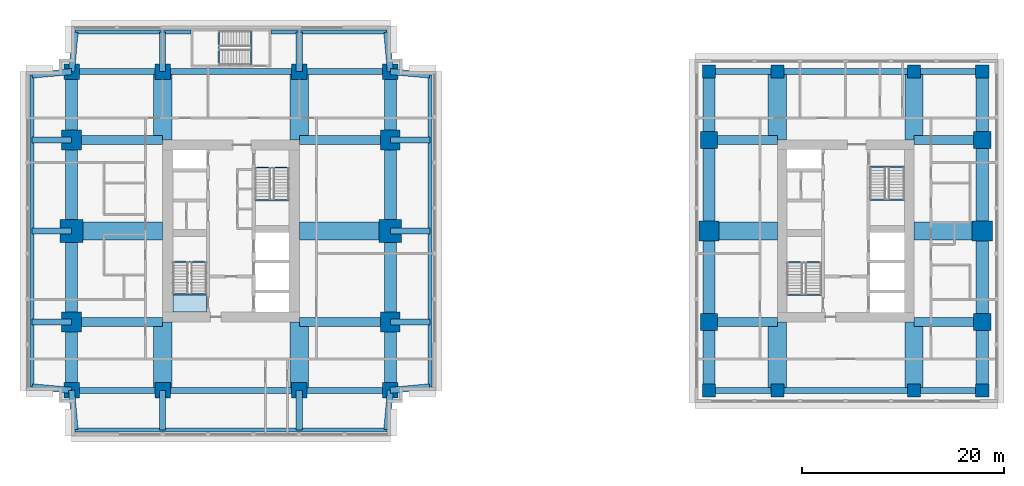
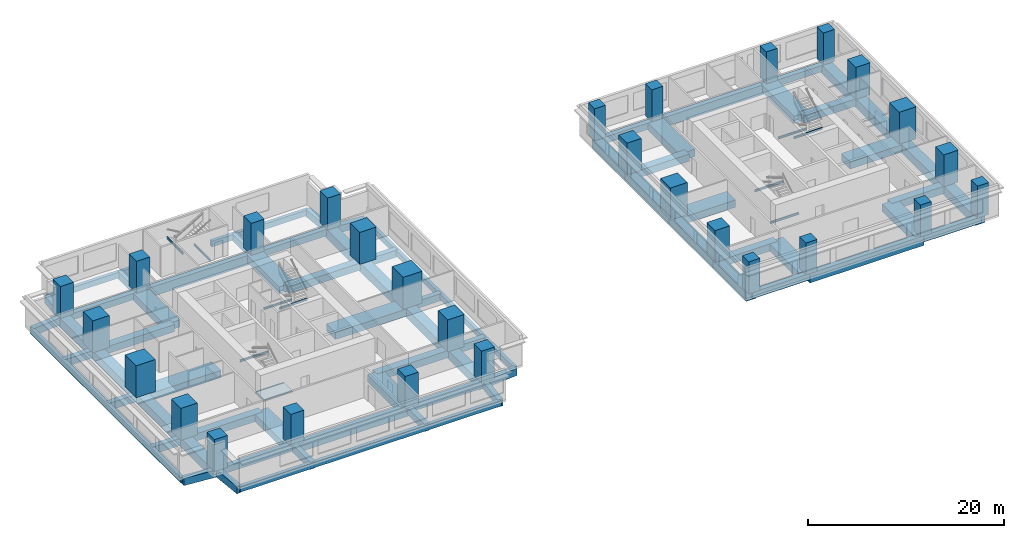
# One storey, part 1 of 11: 81 beams, 28 columns, 1 slab, 1 element without a shape of its own.
"""IFC4 building model written with IfcOpenShell, lengths in metres."""

from ifc_helpers import new_model, si_unit, direction, frame, origin, origin_2d, place, context, subcontext, project, spatial, polyline, rectangle, i_section, outline, extrude, material, layer, layer_set, material_profile, profile_set, type_object, element, aggregate, save


model = new_model("IFC4")

# Units and contexts
model_context = context("Model", 3, precision=1e-05, world=origin(), true_north=direction((0.0, 1.0)))
body_context = subcontext(model_context, "Body", "Model", "MODEL_VIEW")
ifc_project = project(units=[si_unit("LENGTHUNIT", "METRE"), si_unit("AREAUNIT", "SQUARE_METRE"), si_unit("VOLUMEUNIT", "CUBIC_METRE"), si_unit("PLANEANGLEUNIT", "RADIAN"), si_unit("MASSUNIT", "GRAM", prefix="KILO")], contexts=[model_context])

# Site, building, storey
site_placement = place(None, origin())
site = spatial("IfcSite", under=ifc_project, at=site_placement, CompositionType="ELEMENT")
building_placement = place(site_placement, origin())
building = spatial("IfcBuilding", under=site, at=building_placement, Name="Namib Vertical Campus", CompositionType="ELEMENT")
storey_placement = place(building_placement, frame((0.0, 0.0, 213.0)))
storey = spatial("IfcBuildingStorey", under=building, at=storey_placement, Name="L50", CompositionType="ELEMENT", Elevation=213.0)

# Columns
ifc_material_1 = material(Name="Concrete C60/75", Category="concrete")
ifc_material_profile_1 = material_profile(ifc_material_1, rectangle(XDim=1.300048828125, YDim=1.300048828125, at=origin_2d()))
ifc_profile_set_1 = profile_set([ifc_material_profile_1], Name="Concrete C60/75")
column_type_1 = type_object("IfcColumnType", Name="Column RC 1300x1300", PredefinedType="COLUMN", material=ifc_profile_set_1)
for number, where, z_axis, x_axis, name in (
    (1, (67.5, 4.5, 0.0), (0.0, 0.0, 1.0), (1.0, 0.0, 0.0), "Column C130 L50"),
    (2, (74.25, 4.5, 0.0), (0.0, 0.0, 1.0), (1.0, 0.0, 0.0), "Column C130 L50"),
    (3, (87.75, 4.5, 0.0), (0.0, 0.0, 1.0), (1.0, 0.0, 0.0), "Column C130 L50"),
    (4, (94.5, 4.5, 0.0), (0.0, 0.0, 1.0), (1.0, 0.0, 0.0), "Column C130 L50"),
    (5, (67.5, 36.0, 0.0), (0.0, 0.0, 1.0), (1.0, 0.0, 0.0), "Column C130 L50"),
    (6, (74.25, 36.0, 0.0), (0.0, 0.0, 1.0), (1.0, 0.0, 0.0), "Column C130 L50"),
    (7, (87.75, 36.0, 0.0), (0.0, 0.0, 1.0), (1.0, 0.0, 0.0), "Column C130 L50"),
    (8, (94.5, 36.0, 0.0), (0.0, 0.0, 1.0), (1.0, 0.0, 0.0), "Column C130 L50"),
):
    element("IfcColumn", number, at=place(storey_placement, frame(where, z_axis=z_axis, x_axis=x_axis)), inside=storey, type_object=column_type_1, Name=name, PredefinedType="COLUMN", context=body_context, shape_type="SweptSolid", body=[
        extrude(rectangle(XDim=1.300048828125, YDim=1.300048828125, at=origin_2d()), origin(), (0.0, 0.0, 1.0), 4.0),
    ])
ifc_material_2 = material(Name="Concrete C60/75", Category="concrete")
ifc_material_profile_2 = material_profile(ifc_material_2, rectangle(XDim=1.550048828125, YDim=1.550048828125, at=origin_2d()))
ifc_profile_set_2 = profile_set([ifc_material_profile_2], Name="Concrete C60/75")
column_type_2 = type_object("IfcColumnType", Name="Column RC 1550x1550", PredefinedType="COLUMN", material=ifc_profile_set_2)
for number, where, z_axis, x_axis, name in (
    (9, (4.5, 4.5, 0.0), (0.0, 0.0, 1.0), (1.0, 0.0, 0.0), "Column C155 L50"),
    (10, (13.5, 4.5, 0.0), (0.0, 0.0, 1.0), (1.0, 0.0, 0.0), "Column C155 L50"),
    (11, (27.0, 4.5, 0.0), (0.0, 0.0, 1.0), (1.0, 0.0, 0.0), "Column C155 L50"),
    (12, (36.0, 4.5, 0.0), (0.0, 0.0, 1.0), (1.0, 0.0, 0.0), "Column C155 L50"),
    (13, (4.5, 36.0, 0.0), (0.0, 0.0, 1.0), (1.0, 0.0, 0.0), "Column C155 L50"),
    (14, (13.5, 36.0, 0.0), (0.0, 0.0, 1.0), (1.0, 0.0, 0.0), "Column C155 L50"),
    (15, (27.0, 36.0, 0.0), (0.0, 0.0, 1.0), (1.0, 0.0, 0.0), "Column C155 L50"),
    (16, (36.0, 36.0, 0.0), (0.0, 0.0, 1.0), (1.0, 0.0, 0.0), "Column C155 L50"),
):
    element("IfcColumn", number, at=place(storey_placement, frame(where, z_axis=z_axis, x_axis=x_axis)), inside=storey, type_object=column_type_2, Name=name, PredefinedType="COLUMN", context=body_context, shape_type="SweptSolid", body=[
        extrude(rectangle(XDim=1.550048828125, YDim=1.550048828125, at=origin_2d()), origin(), (0.0, 0.0, 1.0), 4.0),
    ])
ifc_material_3 = material(Name="Concrete C60/75", Category="concrete")
ifc_material_profile_3 = material_profile(ifc_material_3, rectangle(XDim=1.699951171875, YDim=1.699951171875, at=origin_2d()))
ifc_profile_set_3 = profile_set([ifc_material_profile_3], Name="Concrete C60/75")
column_type_3 = type_object("IfcColumnType", Name="Column RC 1700x1700", PredefinedType="COLUMN", material=ifc_profile_set_3)
for number, where, z_axis, x_axis, name in (
    (17, (67.5, 11.25, 0.0), (0.0, 0.0, 1.0), (1.0, 0.0, 0.0), "Column C170 L50"),
    (18, (94.5, 11.25, 0.0), (0.0, 0.0, 1.0), (1.0, 0.0, 0.0), "Column C170 L50"),
    (19, (67.5, 29.25, 0.0), (0.0, 0.0, 1.0), (1.0, 0.0, 0.0), "Column C170 L50"),
    (20, (94.5, 29.25, 0.0), (0.0, 0.0, 1.0), (1.0, 0.0, 0.0), "Column C170 L50"),
):
    element("IfcColumn", number, at=place(storey_placement, frame(where, z_axis=z_axis, x_axis=x_axis)), inside=storey, type_object=column_type_3, Name=name, PredefinedType="COLUMN", context=body_context, shape_type="SweptSolid", body=[
        extrude(rectangle(XDim=1.699951171875, YDim=1.699951171875, at=origin_2d()), origin(), (0.0, 0.0, 1.0), 4.0),
    ])
ifc_material_4 = material(Name="Concrete C60/75", Category="concrete")
ifc_material_profile_4 = material_profile(ifc_material_4, rectangle(XDim=1.949951171875, YDim=1.949951171875, at=origin_2d()))
ifc_profile_set_4 = profile_set([ifc_material_profile_4], Name="Concrete C60/75")
column_type_4 = type_object("IfcColumnType", Name="Column RC 1950x1950", PredefinedType="COLUMN", material=ifc_profile_set_4)
for number, where, z_axis, x_axis, name in (
    (21, (4.5, 11.25, 0.0), (0.0, 0.0, 1.0), (1.0, 0.0, 0.0), "Column C195 L50"),
    (22, (36.0, 11.25, 0.0), (0.0, 0.0, 1.0), (1.0, 0.0, 0.0), "Column C195 L50"),
    (23, (4.5, 29.25, 0.0), (0.0, 0.0, 1.0), (1.0, 0.0, 0.0), "Column C195 L50"),
    (24, (36.0, 29.25, 0.0), (0.0, 0.0, 1.0), (1.0, 0.0, 0.0), "Column C195 L50"),
):
    element("IfcColumn", number, at=place(storey_placement, frame(where, z_axis=z_axis, x_axis=x_axis)), inside=storey, type_object=column_type_4, Name=name, PredefinedType="COLUMN", context=body_context, shape_type="SweptSolid", body=[
        extrude(rectangle(XDim=1.949951171875, YDim=1.949951171875, at=origin_2d()), origin(), (0.0, 0.0, 1.0), 4.0),
    ])
ifc_material_5 = material(Name="Concrete C60/75", Category="concrete")
ifc_material_profile_5 = material_profile(ifc_material_5, rectangle(XDim=2.0, YDim=2.0, at=origin_2d()))
ifc_profile_set_5 = profile_set([ifc_material_profile_5], Name="Concrete C60/75")
column_type_5 = type_object("IfcColumnType", Name="Column RC 2000x2000", PredefinedType="COLUMN", material=ifc_profile_set_5)
for number, where, z_axis, x_axis, name in (
    (25, (67.5, 20.25, 0.0), (0.0, 0.0, 1.0), (1.0, 0.0, 0.0), "Column C200 L50"),
    (26, (94.5, 20.25, 0.0), (0.0, 0.0, 1.0), (1.0, 0.0, 0.0), "Column C200 L50"),
):
    element("IfcColumn", number, at=place(storey_placement, frame(where, z_axis=z_axis, x_axis=x_axis)), inside=storey, type_object=column_type_5, Name=name, PredefinedType="COLUMN", context=body_context, shape_type="SweptSolid", body=[
        extrude(rectangle(XDim=2.0, YDim=2.0, at=origin_2d()), origin(), (0.0, 0.0, 1.0), 4.0),
    ])
ifc_material_6 = material(Name="Concrete C60/75", Category="concrete")
ifc_material_profile_6 = material_profile(ifc_material_6, rectangle(XDim=2.25, YDim=2.25, at=origin_2d()))
ifc_profile_set_6 = profile_set([ifc_material_profile_6], Name="Concrete C60/75")
column_type_6 = type_object("IfcColumnType", Name="Column RC 2250x2250", PredefinedType="COLUMN", material=ifc_profile_set_6)
for number, where, z_axis, x_axis, name in (
    (27, (4.5, 20.25, 0.0), (0.0, 0.0, 1.0), (1.0, 0.0, 0.0), "Column C225 L50"),
    (28, (36.0, 20.25, 0.0), (0.0, 0.0, 1.0), (1.0, 0.0, 0.0), "Column C225 L50"),
):
    element("IfcColumn", number, at=place(storey_placement, frame(where, z_axis=z_axis, x_axis=x_axis)), inside=storey, type_object=column_type_6, Name=name, PredefinedType="COLUMN", context=body_context, shape_type="SweptSolid", body=[
        extrude(rectangle(XDim=2.25, YDim=2.25, at=origin_2d()), origin(), (0.0, 0.0, 1.0), 4.0),
    ])

# Beams
ifc_material_7 = material(Name="Concrete C40/50", Category="concrete")
ifc_material_profile_7 = material_profile(ifc_material_7, rectangle(XDim=0.60009765625, YDim=0.89990234375, at=origin_2d()))
ifc_profile_set_7 = profile_set([ifc_material_profile_7], Name="Concrete C40/50")
beam_type_1 = type_object("IfcBeamType", Name="Cantilever girder RC 600x900", PredefinedType="BEAM", material=ifc_profile_set_7)
beam_1_placement = place(storey_placement, frame((4.5, 4.5, -0.699951171875), z_axis=(0.089411326146, -0.995994786511, 0.0), x_axis=(0.995994786511, 0.089411326146, 0.0)))
element("IfcBeam", 29, at=beam_1_placement, inside=storey, type_object=beam_type_1, Name="Beam B3 L50", PredefinedType="BEAM", context=body_context, shape_type="SweptSolid", body=[
    extrude(rectangle(XDim=0.60009765625, YDim=0.89990234375, at=origin_2d()), origin(), (0.0, 0.0, 1.0), 3.91552734375),
])
for number, where, z_axis, x_axis, name in (
    (30, (13.5, 4.5, -0.699951171875), (0.0, -1.0, 0.0), (1.0, 0.0, 0.0), "Beam B3 L50"),
    (31, (27.0, 4.5, -0.699951171875), (0.0, -1.0, 0.0), (1.0, 0.0, 0.0), "Beam B3 L50"),
):
    element("IfcBeam", number, at=place(storey_placement, frame(where, z_axis=z_axis, x_axis=x_axis)), inside=storey, type_object=beam_type_1, Name=name, PredefinedType="BEAM", context=body_context, shape_type="SweptSolid", body=[
        extrude(rectangle(XDim=0.60009765625, YDim=0.89990234375, at=origin_2d()), origin(), (0.0, 0.0, 1.0), 3.89990234375),
    ])
for number, where, z_axis, x_axis, name in (
    (32, (36.0, 4.5, -0.699951171875), (-0.089411326146, -0.995994786511, 0.0), (0.995994786511, -0.089411326146, 0.0), "Beam B3 L50"),
    (33, (4.5, 36.0, -0.699951171875), (0.089411326146, 0.995994786511, 0.0), (-0.995994786511, 0.089411326146, 0.0), "Beam B3 L50"),
):
    element("IfcBeam", number, at=place(storey_placement, frame(where, z_axis=z_axis, x_axis=x_axis)), inside=storey, type_object=beam_type_1, Name=name, PredefinedType="BEAM", context=body_context, shape_type="SweptSolid", body=[
        extrude(rectangle(XDim=0.60009765625, YDim=0.89990234375, at=origin_2d()), origin(), (0.0, 0.0, 1.0), 3.91552734375),
    ])
for number, where, z_axis, x_axis, name in (
    (34, (13.5, 36.0, -0.699951171875), (0.0, 1.0, 0.0), (-1.0, 0.0, 0.0), "Beam B3 L50"),
    (35, (27.0, 36.0, -0.699951171875), (0.0, 1.0, 0.0), (-1.0, 0.0, 0.0), "Beam B3 L50"),
):
    element("IfcBeam", number, at=place(storey_placement, frame(where, z_axis=z_axis, x_axis=x_axis)), inside=storey, type_object=beam_type_1, Name=name, PredefinedType="BEAM", context=body_context, shape_type="SweptSolid", body=[
        extrude(rectangle(XDim=0.60009765625, YDim=0.89990234375, at=origin_2d()), origin(), (0.0, 0.0, 1.0), 3.89990234375),
    ])
for number, where, z_axis, x_axis, name in (
    (36, (36.0, 36.0, -0.699951171875), (-0.089411326146, 0.995994786511, 0.0), (-0.995994786511, -0.089411326146, 0.0), "Beam B3 L50"),
    (37, (4.5, 4.5, -0.699951171875), (-0.995994786511, 0.089411326146, 0.0), (-0.089411326146, -0.995994786511, 0.0), "Beam B3 L50"),
):
    element("IfcBeam", number, at=place(storey_placement, frame(where, z_axis=z_axis, x_axis=x_axis)), inside=storey, type_object=beam_type_1, Name=name, PredefinedType="BEAM", context=body_context, shape_type="SweptSolid", body=[
        extrude(rectangle(XDim=0.60009765625, YDim=0.89990234375, at=origin_2d()), origin(), (0.0, 0.0, 1.0), 3.91552734375),
    ])
for number, where, z_axis, x_axis, name in (
    (38, (4.5, 11.25, -0.699951171875), (-1.0, 0.0, 0.0), (0.0, -1.0, 0.0), "Beam B3 L50"),
    (39, (4.5, 20.25, -0.699951171875), (-1.0, 0.0, 0.0), (0.0, -1.0, 0.0), "Beam B3 L50"),
    (40, (4.5, 29.25, -0.699951171875), (-1.0, 0.0, 0.0), (0.0, -1.0, 0.0), "Beam B3 L50"),
):
    element("IfcBeam", number, at=place(storey_placement, frame(where, z_axis=z_axis, x_axis=x_axis)), inside=storey, type_object=beam_type_1, Name=name, PredefinedType="BEAM", context=body_context, shape_type="SweptSolid", body=[
        extrude(rectangle(XDim=0.60009765625, YDim=0.89990234375, at=origin_2d()), origin(), (0.0, 0.0, 1.0), 3.89990234375),
    ])
for number, where, z_axis, x_axis, name in (
    (41, (4.5, 36.0, -0.699951171875), (-0.995994786511, -0.089411326146, 0.0), (0.089411326146, -0.995994786511, 0.0), "Beam B3 L50"),
    (42, (36.0, 4.5, -0.699951171875), (0.995994786511, 0.089411326146, 0.0), (-0.089411326146, 0.995994786511, 0.0), "Beam B3 L50"),
):
    element("IfcBeam", number, at=place(storey_placement, frame(where, z_axis=z_axis, x_axis=x_axis)), inside=storey, type_object=beam_type_1, Name=name, PredefinedType="BEAM", context=body_context, shape_type="SweptSolid", body=[
        extrude(rectangle(XDim=0.60009765625, YDim=0.89990234375, at=origin_2d()), origin(), (0.0, 0.0, 1.0), 3.91552734375),
    ])
for number, where, z_axis, x_axis, name in (
    (43, (36.0, 11.25, -0.699951171875), (1.0, 0.0, 0.0), (0.0, 1.0, 0.0), "Beam B3 L50"),
    (44, (36.0, 20.25, -0.699951171875), (1.0, 0.0, 0.0), (0.0, 1.0, 0.0), "Beam B3 L50"),
    (45, (36.0, 29.25, -0.699951171875), (1.0, 0.0, 0.0), (0.0, 1.0, 0.0), "Beam B3 L50"),
):
    element("IfcBeam", number, at=place(storey_placement, frame(where, z_axis=z_axis, x_axis=x_axis)), inside=storey, type_object=beam_type_1, Name=name, PredefinedType="BEAM", context=body_context, shape_type="SweptSolid", body=[
        extrude(rectangle(XDim=0.60009765625, YDim=0.89990234375, at=origin_2d()), origin(), (0.0, 0.0, 1.0), 3.89990234375),
    ])
beam_2_placement = place(storey_placement, frame((36.0, 36.0, -0.699951171875), z_axis=(0.995994786511, -0.089411326146, 0.0), x_axis=(0.089411326146, 0.995994786511, 0.0)))
element("IfcBeam", 46, at=beam_2_placement, inside=storey, type_object=beam_type_1, Name="Beam B3 L50", PredefinedType="BEAM", context=body_context, shape_type="SweptSolid", body=[
    extrude(rectangle(XDim=0.60009765625, YDim=0.89990234375, at=origin_2d()), origin(), (0.0, 0.0, 1.0), 3.91552734375),
])
ifc_material_8 = material(Name="Concrete C40/50", Category="concrete")
ifc_material_profile_8 = material_profile(ifc_material_8, rectangle(XDim=0.39990234375, YDim=0.699951171875, at=origin_2d()))
ifc_profile_set_8 = profile_set([ifc_material_profile_8], Name="Concrete C40/50")
beam_type_2 = type_object("IfcBeamType", Name="Edge beam RC 400x700", PredefinedType="SPANDREL", material=ifc_profile_set_8)
beam_3_placement = place(storey_placement, frame((4.85009765625, 0.60009765625, -0.60009765625), z_axis=(1.0, 0.0, 0.0), x_axis=(0.0, 1.0, 0.0)))
element("IfcBeam", 47, at=beam_3_placement, inside=storey, type_object=beam_type_2, Name="Beam B4 L50", PredefinedType="SPANDREL", context=body_context, shape_type="SweptSolid", body=[
    extrude(rectangle(XDim=0.39990234375, YDim=0.699951171875, at=origin_2d()), origin(), (0.0, 0.0, 1.0), 30.7998046875),
])
for number, where, z_axis, x_axis, name in (
    (48, (4.85009765625, 39.89990234375, -0.60009765625), (1.0, 0.0, 0.0), (0.0, 1.0, 0.0), "Beam B4 L50"),
    (49, (24.199951171875, 39.89990234375, -0.60009765625), (1.0, 0.0, 0.0), (0.0, 1.0, 0.0), "Beam B4 L50"),
):
    element("IfcBeam", number, at=place(storey_placement, frame(where, z_axis=z_axis, x_axis=x_axis)), inside=storey, type_object=beam_type_2, Name=name, PredefinedType="SPANDREL", context=body_context, shape_type="SweptSolid", body=[
        extrude(rectangle(XDim=0.39990234375, YDim=0.699951171875, at=origin_2d()), origin(), (0.0, 0.0, 1.0), 11.449951171875),
    ])
for number, where, z_axis, x_axis, name in (
    (50, (0.60009765625, 4.85009765625, -0.60009765625), (0.0, 1.0, 0.0), (-1.0, 0.0, 0.0), "Beam B4 L50"),
    (51, (39.89990234375, 4.85009765625, -0.60009765625), (0.0, 1.0, 0.0), (-1.0, 0.0, 0.0), "Beam B4 L50"),
):
    element("IfcBeam", number, at=place(storey_placement, frame(where, z_axis=z_axis, x_axis=x_axis)), inside=storey, type_object=beam_type_2, Name=name, PredefinedType="SPANDREL", context=body_context, shape_type="SweptSolid", body=[
        extrude(rectangle(XDim=0.39990234375, YDim=0.699951171875, at=origin_2d()), origin(), (0.0, 0.0, 1.0), 30.7998046875),
    ])
ifc_material_9 = material(Name="Concrete C40/50", Category="concrete")
ifc_material_profile_9 = material_profile(ifc_material_9, rectangle(XDim=0.89990234375, YDim=0.89990234375, at=origin_2d()))
ifc_profile_set_9 = profile_set([ifc_material_profile_9], Name="Concrete C40/50")
beam_type_3 = type_object("IfcBeamType", Name="Face girder RC 900x900", PredefinedType="BEAM", material=ifc_profile_set_9)
for number, where, z_axis, x_axis, name in (
    (52, (4.5, 11.25, -0.699951171875), (1.0, 0.0, 0.0), (0.0, 1.0, 0.0), "Beam B10 L50"),
    (53, (36.0, 11.25, -0.699951171875), (-1.0, 0.0, 0.0), (0.0, -1.0, 0.0), "Beam B10 L50"),
    (54, (4.5, 29.25, -0.699951171875), (1.0, 0.0, 0.0), (0.0, 1.0, 0.0), "Beam B10 L50"),
    (55, (36.0, 29.25, -0.699951171875), (-1.0, 0.0, 0.0), (0.0, -1.0, 0.0), "Beam B10 L50"),
):
    element("IfcBeam", number, at=place(storey_placement, frame(where, z_axis=z_axis, x_axis=x_axis)), inside=storey, type_object=beam_type_3, Name=name, PredefinedType="BEAM", context=body_context, shape_type="SweptSolid", body=[
        extrude(rectangle(XDim=0.89990234375, YDim=0.89990234375, at=origin_2d()), origin(), (0.0, 0.0, 1.0), 9.0),
    ])
for number, where, z_axis, x_axis, name in (
    (56, (67.5, 11.25, -0.699951171875), (1.0, 0.0, 0.0), (0.0, 1.0, 0.0), "Beam B10 L50"),
    (57, (94.5, 11.25, -0.699951171875), (-1.0, 0.0, 0.0), (0.0, -1.0, 0.0), "Beam B10 L50"),
    (58, (67.5, 29.25, -0.699951171875), (1.0, 0.0, 0.0), (0.0, 1.0, 0.0), "Beam B10 L50"),
    (59, (94.5, 29.25, -0.699951171875), (-1.0, 0.0, 0.0), (0.0, -1.0, 0.0), "Beam B10 L50"),
):
    element("IfcBeam", number, at=place(storey_placement, frame(where, z_axis=z_axis, x_axis=x_axis)), inside=storey, type_object=beam_type_3, Name=name, PredefinedType="BEAM", context=body_context, shape_type="SweptSolid", body=[
        extrude(rectangle(XDim=0.89990234375, YDim=0.89990234375, at=origin_2d()), origin(), (0.0, 0.0, 1.0), 6.75),
    ])
ifc_material_10 = material(Name="Concrete C40/50", Category="concrete")
ifc_material_profile_10 = material_profile(ifc_material_10, rectangle(XDim=1.199951171875, YDim=1.10009765625, at=origin_2d()))
ifc_profile_set_10 = profile_set([ifc_material_profile_10], Name="Concrete C40/50")
beam_type_4 = type_object("IfcBeamType", Name="Face ring beam RC 1200x1100", PredefinedType="BEAM", material=ifc_profile_set_10)
beam_4_placement = place(storey_placement, frame((4.5, 4.5, -0.800048828125), z_axis=(0.0, 1.0, 0.0), x_axis=(-1.0, 0.0, 0.0)))
element("IfcBeam", 60, at=beam_4_placement, inside=storey, type_object=beam_type_4, Name="Beam B11 L50", PredefinedType="BEAM", context=body_context, shape_type="SweptSolid", body=[
    extrude(rectangle(XDim=1.199951171875, YDim=1.10009765625, at=origin_2d()), origin(), (0.0, 0.0, 1.0), 6.75),
])
for number, where, z_axis, x_axis, name in (
    (61, (4.5, 11.25, -0.800048828125), (0.0, 1.0, 0.0), (-1.0, 0.0, 0.0), "Beam B11 L50"),
    (62, (4.5, 20.25, -0.800048828125), (0.0, 1.0, 0.0), (-1.0, 0.0, 0.0), "Beam B11 L50"),
):
    element("IfcBeam", number, at=place(storey_placement, frame(where, z_axis=z_axis, x_axis=x_axis)), inside=storey, type_object=beam_type_4, Name=name, PredefinedType="BEAM", context=body_context, shape_type="SweptSolid", body=[
        extrude(rectangle(XDim=1.199951171875, YDim=1.10009765625, at=origin_2d()), origin(), (0.0, 0.0, 1.0), 9.0),
    ])
for number, where, z_axis, x_axis, name in (
    (63, (4.5, 29.25, -0.800048828125), (0.0, 1.0, 0.0), (-1.0, 0.0, 0.0), "Beam B11 L50"),
    (64, (36.0, 4.5, -0.800048828125), (0.0, 1.0, 0.0), (-1.0, 0.0, 0.0), "Beam B11 L50"),
):
    element("IfcBeam", number, at=place(storey_placement, frame(where, z_axis=z_axis, x_axis=x_axis)), inside=storey, type_object=beam_type_4, Name=name, PredefinedType="BEAM", context=body_context, shape_type="SweptSolid", body=[
        extrude(rectangle(XDim=1.199951171875, YDim=1.10009765625, at=origin_2d()), origin(), (0.0, 0.0, 1.0), 6.75),
    ])
for number, where, z_axis, x_axis, name in (
    (65, (36.0, 11.25, -0.800048828125), (0.0, 1.0, 0.0), (-1.0, 0.0, 0.0), "Beam B11 L50"),
    (66, (36.0, 20.25, -0.800048828125), (0.0, 1.0, 0.0), (-1.0, 0.0, 0.0), "Beam B11 L50"),
):
    element("IfcBeam", number, at=place(storey_placement, frame(where, z_axis=z_axis, x_axis=x_axis)), inside=storey, type_object=beam_type_4, Name=name, PredefinedType="BEAM", context=body_context, shape_type="SweptSolid", body=[
        extrude(rectangle(XDim=1.199951171875, YDim=1.10009765625, at=origin_2d()), origin(), (0.0, 0.0, 1.0), 9.0),
    ])
for number, where, z_axis, x_axis, name in (
    (67, (36.0, 29.25, -0.800048828125), (0.0, 1.0, 0.0), (-1.0, 0.0, 0.0), "Beam B11 L50"),
    (68, (67.5, 4.5, -0.800048828125), (0.0, 1.0, 0.0), (-1.0, 0.0, 0.0), "Beam B11 L50"),
):
    element("IfcBeam", number, at=place(storey_placement, frame(where, z_axis=z_axis, x_axis=x_axis)), inside=storey, type_object=beam_type_4, Name=name, PredefinedType="BEAM", context=body_context, shape_type="SweptSolid", body=[
        extrude(rectangle(XDim=1.199951171875, YDim=1.10009765625, at=origin_2d()), origin(), (0.0, 0.0, 1.0), 6.75),
    ])
for number, where, z_axis, x_axis, name in (
    (69, (67.5, 11.25, -0.800048828125), (0.0, 1.0, 0.0), (-1.0, 0.0, 0.0), "Beam B11 L50"),
    (70, (67.5, 20.25, -0.800048828125), (0.0, 1.0, 0.0), (-1.0, 0.0, 0.0), "Beam B11 L50"),
):
    element("IfcBeam", number, at=place(storey_placement, frame(where, z_axis=z_axis, x_axis=x_axis)), inside=storey, type_object=beam_type_4, Name=name, PredefinedType="BEAM", context=body_context, shape_type="SweptSolid", body=[
        extrude(rectangle(XDim=1.199951171875, YDim=1.10009765625, at=origin_2d()), origin(), (0.0, 0.0, 1.0), 9.0),
    ])
for number, where, z_axis, x_axis, name in (
    (71, (67.5, 29.25, -0.800048828125), (0.0, 1.0, 0.0), (-1.0, 0.0, 0.0), "Beam B11 L50"),
    (72, (94.5, 4.5, -0.800048828125), (0.0, 1.0, 0.0), (-1.0, 0.0, 0.0), "Beam B11 L50"),
):
    element("IfcBeam", number, at=place(storey_placement, frame(where, z_axis=z_axis, x_axis=x_axis)), inside=storey, type_object=beam_type_4, Name=name, PredefinedType="BEAM", context=body_context, shape_type="SweptSolid", body=[
        extrude(rectangle(XDim=1.199951171875, YDim=1.10009765625, at=origin_2d()), origin(), (0.0, 0.0, 1.0), 6.75),
    ])
for number, where, z_axis, x_axis, name in (
    (73, (94.5, 11.25, -0.800048828125), (0.0, 1.0, 0.0), (-1.0, 0.0, 0.0), "Beam B11 L50"),
    (74, (94.5, 20.25, -0.800048828125), (0.0, 1.0, 0.0), (-1.0, 0.0, 0.0), "Beam B11 L50"),
):
    element("IfcBeam", number, at=place(storey_placement, frame(where, z_axis=z_axis, x_axis=x_axis)), inside=storey, type_object=beam_type_4, Name=name, PredefinedType="BEAM", context=body_context, shape_type="SweptSolid", body=[
        extrude(rectangle(XDim=1.199951171875, YDim=1.10009765625, at=origin_2d()), origin(), (0.0, 0.0, 1.0), 9.0),
    ])
beam_5_placement = place(storey_placement, frame((94.5, 29.25, -0.800048828125), z_axis=(0.0, 1.0, 0.0), x_axis=(-1.0, 0.0, 0.0)))
element("IfcBeam", 75, at=beam_5_placement, inside=storey, type_object=beam_type_4, Name="Beam B11 L50", PredefinedType="BEAM", context=body_context, shape_type="SweptSolid", body=[
    extrude(rectangle(XDim=1.199951171875, YDim=1.10009765625, at=origin_2d()), origin(), (0.0, 0.0, 1.0), 6.75),
])
ifc_material_11 = material(Name="Steel S355JR", Category="steel")
ifc_material_profile_11 = material_profile(ifc_material_11, i_section(OverallWidth=0.14599609375, OverallDepth=0.25146484375, WebThickness=0.006103515625, FlangeThickness=0.008544921875, FilletRadius=0.007568359375, at=origin_2d()))
ifc_profile_set_11 = profile_set([ifc_material_profile_11], Name="Steel S355JR")
beam_type_5 = type_object("IfcBeamType", Name="Landing trimmer UB 254x146x31", PredefinedType="BEAM", material=ifc_profile_set_11)
for number, where, z_axis, x_axis, name in (
    (76, (14.5, 13.97705078125, -0.125732421875), (1.0, 0.0, 0.0), (0.0, 1.0, 0.0), "Landing trimmer LT1 A-S1 L50 1"),
    (77, (14.5, 17.203125, 1.874267578125), (1.0, 0.0, 0.0), (0.0, 1.0, 0.0), "Landing trimmer LT1 A-S1 L50 2"),
    (78, (22.64990234375, 26.52294921875, -0.125732421875), (1.0, 0.0, 0.0), (0.0, 1.0, 0.0), "Landing trimmer LT1 A-S2 L50 1"),
    (79, (22.64990234375, 23.296875, 1.874267578125), (1.0, 0.0, 0.0), (0.0, 1.0, 0.0), "Landing trimmer LT1 A-S2 L50 2"),
):
    element("IfcBeam", number, at=place(storey_placement, frame(where, z_axis=z_axis, x_axis=x_axis)), inside=storey, type_object=beam_type_5, Name=name, PredefinedType="BEAM", context=body_context, shape_type="SweptSolid", body=[
        extrude(i_section(OverallWidth=0.14599609375, OverallDepth=0.25146484375, WebThickness=0.006103515625, FlangeThickness=0.008544921875, FilletRadius=0.007568359375, at=origin_2d()), origin(), (0.0, 0.0, 1.0), 3.35009765625),
    ])
for number, where, z_axis, x_axis, name in (
    (80, (75.199951171875, 13.927001953125, -0.125732421875), (1.0, 0.0, 0.0), (0.0, 1.0, 0.0), "Landing trimmer LT1 B-S1 L50 1"),
    (81, (75.199951171875, 17.153076171875, 1.874267578125), (1.0, 0.0, 0.0), (0.0, 1.0, 0.0), "Landing trimmer LT1 B-S1 L50 2"),
    (82, (83.39990234375, 26.572998046875, -0.125732421875), (1.0, 0.0, 0.0), (0.0, 1.0, 0.0), "Landing trimmer LT1 B-S2 L50 1"),
    (83, (83.39990234375, 23.346923828125, 1.874267578125), (1.0, 0.0, 0.0), (0.0, 1.0, 0.0), "Landing trimmer LT1 B-S2 L50 2"),
):
    element("IfcBeam", number, at=place(storey_placement, frame(where, z_axis=z_axis, x_axis=x_axis)), inside=storey, type_object=beam_type_5, Name=name, PredefinedType="BEAM", context=body_context, shape_type="SweptSolid", body=[
        extrude(i_section(OverallWidth=0.14599609375, OverallDepth=0.25146484375, WebThickness=0.006103515625, FlangeThickness=0.008544921875, FilletRadius=0.007568359375, at=origin_2d()), origin(), (0.0, 0.0, 1.0), 3.400146484375),
    ])
for number, where, z_axis, x_axis, name in (
    (84, (22.27294921875, 36.64990234375, -0.125732421875), (0.0, 1.0, 0.0), (-1.0, 0.0, 0.0), "Landing trimmer LT1 A-S3 L50 1"),
    (85, (19.046875, 36.64990234375, 1.874267578125), (0.0, 1.0, 0.0), (-1.0, 0.0, 0.0), "Landing trimmer LT1 A-S3 L50 2"),
):
    element("IfcBeam", number, at=place(storey_placement, frame(where, z_axis=z_axis, x_axis=x_axis)), inside=storey, type_object=beam_type_5, Name=name, PredefinedType="BEAM", context=body_context, shape_type="SweptSolid", body=[
        extrude(i_section(OverallWidth=0.14599609375, OverallDepth=0.25146484375, WebThickness=0.006103515625, FlangeThickness=0.008544921875, FilletRadius=0.007568359375, at=origin_2d()), origin(), (0.0, 0.0, 1.0), 3.35009765625),
    ])
ifc_material_12 = material(Name="Concrete C40/50", Category="concrete")
ifc_material_profile_12 = material_profile(ifc_material_12, rectangle(XDim=0.60009765625, YDim=1.199951171875, at=origin_2d()))
ifc_profile_set_12 = profile_set([ifc_material_profile_12], Name="Concrete C40/50")
beam_type_6 = type_object("IfcBeamType", Name="Long-span ring beam RC 600x1200", PredefinedType="BEAM", material=ifc_profile_set_12)
for number, where, z_axis, x_axis, name in (
    (86, (13.5, 4.5, -0.85009765625), (1.0, 0.0, 0.0), (0.0, 1.0, 0.0), "Beam B9 L50"),
    (87, (13.5, 36.0, -0.85009765625), (1.0, 0.0, 0.0), (0.0, 1.0, 0.0), "Beam B9 L50"),
    (88, (74.25, 4.5, -0.85009765625), (1.0, 0.0, 0.0), (0.0, 1.0, 0.0), "Beam B9 L50"),
    (89, (74.25, 36.0, -0.85009765625), (1.0, 0.0, 0.0), (0.0, 1.0, 0.0), "Beam B9 L50"),
):
    element("IfcBeam", number, at=place(storey_placement, frame(where, z_axis=z_axis, x_axis=x_axis)), inside=storey, type_object=beam_type_6, Name=name, PredefinedType="BEAM", context=body_context, shape_type="SweptSolid", body=[
        extrude(rectangle(XDim=0.60009765625, YDim=1.199951171875, at=origin_2d()), origin(), (0.0, 0.0, 1.0), 13.5),
    ])
ifc_material_13 = material(Name="Concrete C40/50", Category="concrete")
ifc_material_profile_13 = material_profile(ifc_material_13, rectangle(XDim=1.800048828125, YDim=0.89990234375, at=origin_2d()))
ifc_profile_set_13 = profile_set([ifc_material_profile_13], Name="Concrete C40/50")
beam_type_7 = type_object("IfcBeamType", Name="Outrigger line girder RC 1800x900", PredefinedType="BEAM", material=ifc_profile_set_13)
for number, where, z_axis, x_axis, name in (
    (90, (13.5, 4.5, -0.699951171875), (0.0, 1.0, 0.0), (-1.0, 0.0, 0.0), "Beam B12 L50"),
    (91, (13.5, 36.0, -0.699951171875), (0.0, -1.0, 0.0), (1.0, 0.0, 0.0), "Beam B12 L50"),
    (92, (27.0, 4.5, -0.699951171875), (0.0, 1.0, 0.0), (-1.0, 0.0, 0.0), "Beam B12 L50"),
    (93, (27.0, 36.0, -0.699951171875), (0.0, -1.0, 0.0), (1.0, 0.0, 0.0), "Beam B12 L50"),
):
    element("IfcBeam", number, at=place(storey_placement, frame(where, z_axis=z_axis, x_axis=x_axis)), inside=storey, type_object=beam_type_7, Name=name, PredefinedType="BEAM", context=body_context, shape_type="SweptSolid", body=[
        extrude(rectangle(XDim=1.800048828125, YDim=0.89990234375, at=origin_2d()), origin(), (0.0, 0.0, 1.0), 6.75),
    ])
for number, where, z_axis, x_axis, name in (
    (94, (4.5, 20.25, -0.699951171875), (1.0, 0.0, 0.0), (0.0, 1.0, 0.0), "Beam B12 L50"),
    (95, (36.0, 20.25, -0.699951171875), (-1.0, 0.0, 0.0), (0.0, -1.0, 0.0), "Beam B12 L50"),
):
    element("IfcBeam", number, at=place(storey_placement, frame(where, z_axis=z_axis, x_axis=x_axis)), inside=storey, type_object=beam_type_7, Name=name, PredefinedType="BEAM", context=body_context, shape_type="SweptSolid", body=[
        extrude(rectangle(XDim=1.800048828125, YDim=0.89990234375, at=origin_2d()), origin(), (0.0, 0.0, 1.0), 9.0),
    ])
for number, where, z_axis, x_axis, name in (
    (96, (74.25, 4.5, -0.699951171875), (0.0, 1.0, 0.0), (-1.0, 0.0, 0.0), "Beam B12 L50"),
    (97, (74.25, 36.0, -0.699951171875), (0.0, -1.0, 0.0), (1.0, 0.0, 0.0), "Beam B12 L50"),
    (98, (87.75, 4.5, -0.699951171875), (0.0, 1.0, 0.0), (-1.0, 0.0, 0.0), "Beam B12 L50"),
    (99, (87.75, 36.0, -0.699951171875), (0.0, -1.0, 0.0), (1.0, 0.0, 0.0), "Beam B12 L50"),
    (100, (67.5, 20.25, -0.699951171875), (1.0, 0.0, 0.0), (0.0, 1.0, 0.0), "Beam B12 L50"),
    (101, (94.5, 20.25, -0.699951171875), (-1.0, 0.0, 0.0), (0.0, -1.0, 0.0), "Beam B12 L50"),
):
    element("IfcBeam", number, at=place(storey_placement, frame(where, z_axis=z_axis, x_axis=x_axis)), inside=storey, type_object=beam_type_7, Name=name, PredefinedType="BEAM", context=body_context, shape_type="SweptSolid", body=[
        extrude(rectangle(XDim=1.800048828125, YDim=0.89990234375, at=origin_2d()), origin(), (0.0, 0.0, 1.0), 6.75),
    ])
ifc_material_14 = material(Name="Concrete C40/50", Category="concrete")
ifc_material_profile_14 = material_profile(ifc_material_14, rectangle(XDim=0.60009765625, YDim=0.800048828125, at=origin_2d()))
ifc_profile_set_14 = profile_set([ifc_material_profile_14], Name="Concrete C40/50")
beam_type_8 = type_object("IfcBeamType", Name="Ring beam RC 600x800", PredefinedType="BEAM", material=ifc_profile_set_14)
for number, where, z_axis, x_axis, name in (
    (102, (4.5, 4.5, -0.64990234375), (1.0, 0.0, 0.0), (0.0, 1.0, 0.0), "Beam B1 L50"),
    (103, (27.0, 4.5, -0.64990234375), (1.0, 0.0, 0.0), (0.0, 1.0, 0.0), "Beam B1 L50"),
    (104, (4.5, 36.0, -0.64990234375), (1.0, 0.0, 0.0), (0.0, 1.0, 0.0), "Beam B1 L50"),
    (105, (27.0, 36.0, -0.64990234375), (1.0, 0.0, 0.0), (0.0, 1.0, 0.0), "Beam B1 L50"),
):
    element("IfcBeam", number, at=place(storey_placement, frame(where, z_axis=z_axis, x_axis=x_axis)), inside=storey, type_object=beam_type_8, Name=name, PredefinedType="BEAM", context=body_context, shape_type="SweptSolid", body=[
        extrude(rectangle(XDim=0.60009765625, YDim=0.800048828125, at=origin_2d()), origin(), (0.0, 0.0, 1.0), 9.0),
    ])
for number, where, z_axis, x_axis, name in (
    (106, (67.5, 4.5, -0.64990234375), (1.0, 0.0, 0.0), (0.0, 1.0, 0.0), "Beam B1 L50"),
    (107, (87.75, 4.5, -0.64990234375), (1.0, 0.0, 0.0), (0.0, 1.0, 0.0), "Beam B1 L50"),
    (108, (67.5, 36.0, -0.64990234375), (1.0, 0.0, 0.0), (0.0, 1.0, 0.0), "Beam B1 L50"),
    (109, (87.75, 36.0, -0.64990234375), (1.0, 0.0, 0.0), (0.0, 1.0, 0.0), "Beam B1 L50"),
):
    element("IfcBeam", number, at=place(storey_placement, frame(where, z_axis=z_axis, x_axis=x_axis)), inside=storey, type_object=beam_type_8, Name=name, PredefinedType="BEAM", context=body_context, shape_type="SweptSolid", body=[
        extrude(rectangle(XDim=0.60009765625, YDim=0.800048828125, at=origin_2d()), origin(), (0.0, 0.0, 1.0), 6.75),
    ])

# Stair, slab
ifc_material_15 = material(Name="Concrete C40/50 precast", Category="concrete")
stair_type = type_object("IfcStairType", Name="Exit stair 4000 rise 24 risers 3350 wide", PredefinedType="HALF_TURN_STAIR", material=ifc_material_15)
stair_placement = place(storey_placement, origin())
stair = element("IfcStair", 110, at=stair_placement, inside=storey, type_object=stair_type, Name="Exit stair A-S1 L50", PredefinedType="HALF_TURN_STAIR")
ifc_material_16 = material(Name="Concrete C40/50", Category="concrete")
ifc_layer = layer(ifc_material_16, 0.199951171875)
ifc_layer_set = layer_set([ifc_layer], Name="Concrete C40/50")
slab_type = type_object("IfcSlabType", Name="Stair landing 200", PredefinedType="LANDING", material=ifc_layer_set)
slab_placement = place(storey_placement, frame((0.0, 0.0, -0.199951171875)))
slab = element("IfcSlab", 111, at=slab_placement, type_object=slab_type, Name="A-S1 landing 1", PredefinedType="LANDING", context=body_context, shape_type="SweptSolid", body=[
    extrude(outline(polyline([(14.5, 12.25), (17.85009765625, 12.25), (17.85009765625, 13.90380859375), (14.5, 13.90380859375), (14.5, 12.25)])), origin(), (0.0, 0.0, 1.0), 0.199951171875),
])
aggregate(stair, [slab])

save(model, "model.ifc")
